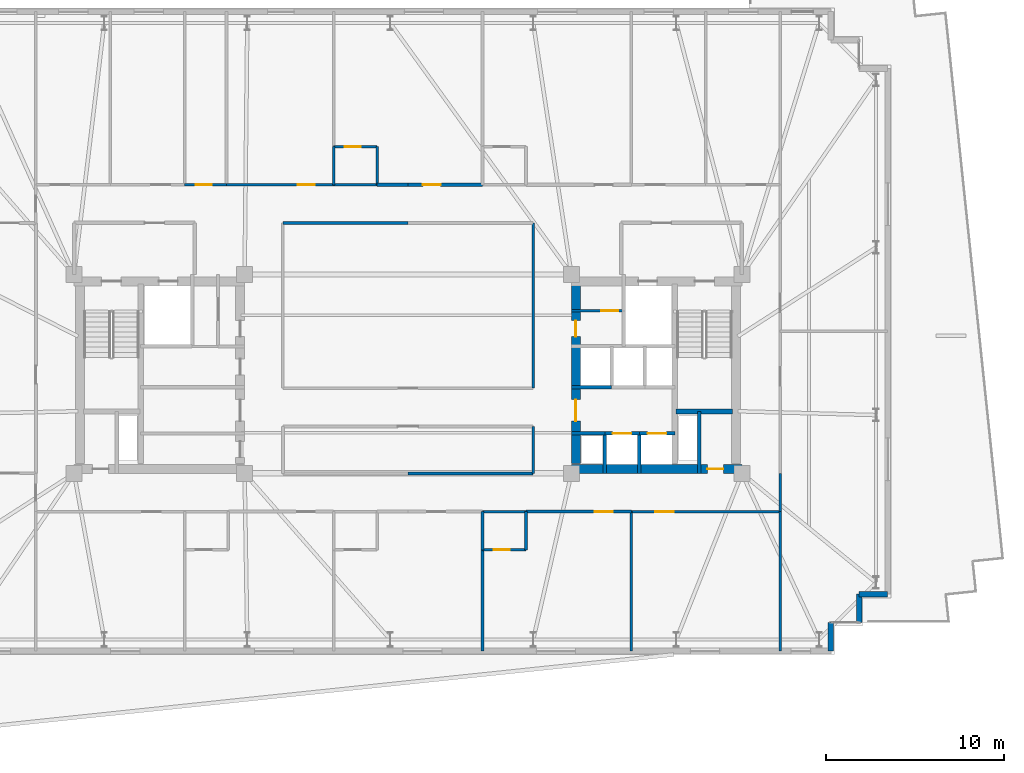
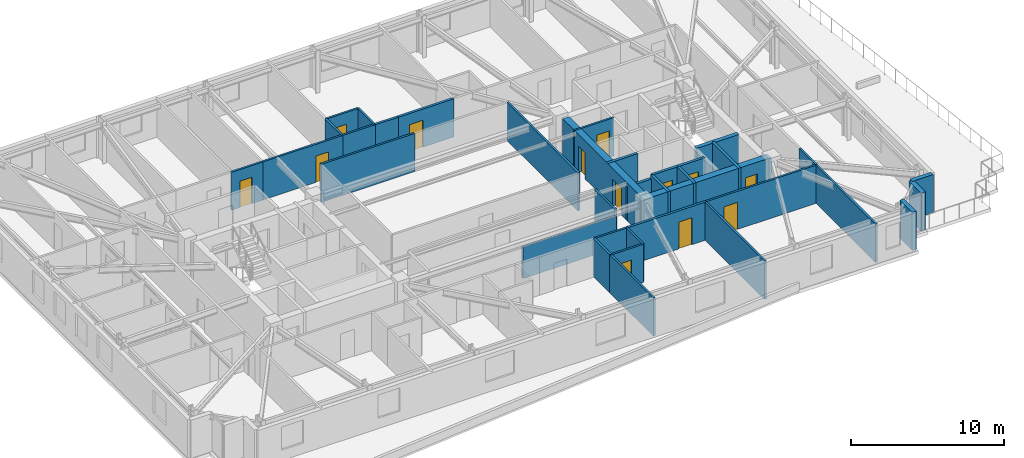
# One storey, part 13 of 19: 36 walls, 13 doors, 13 openings.
"""IFC4 building model written with IfcOpenShell, lengths in metres."""

from ifc_helpers import new_model, si_unit, direction, frame, frame_2d, origin, place, context, subcontext, project, spatial, rectangle, extrude, material, layer, layer_set, type_object, element, fill, save


model = new_model("IFC4")

# Units and contexts
model_context = context("Model", 3, precision=1e-05, world=origin(), true_north=direction((0.0, 1.0)))
body_context = subcontext(model_context, "Body", "Model", "MODEL_VIEW")
ifc_project = project(units=[si_unit("LENGTHUNIT", "METRE"), si_unit("AREAUNIT", "SQUARE_METRE"), si_unit("VOLUMEUNIT", "CUBIC_METRE"), si_unit("PLANEANGLEUNIT", "RADIAN"), si_unit("MASSUNIT", "GRAM", prefix="KILO")], contexts=[model_context])

# Site, building, storey
site_placement = place(None, origin())
site = spatial("IfcSite", under=ifc_project, at=site_placement, CompositionType="ELEMENT")
building_placement = place(site_placement, origin())
building = spatial("IfcBuilding", under=site, at=building_placement, Name="Qobustan Lattice House", CompositionType="ELEMENT")
storey_placement = place(building_placement, frame((0.0, 0.0, 131.0)))
storey = spatial("IfcBuildingStorey", under=building, at=storey_placement, Name="L36", CompositionType="ELEMENT", Elevation=131.0)

# Wall, opening, door
ifc_material_1 = material(Name="Concrete C50/60", Category="concrete")
ifc_layer_1 = layer(ifc_material_1, 0.5)
ifc_layer_set_1 = layer_set([ifc_layer_1], Name="Concrete C50/60")
wall_type_1 = type_object("IfcWallType", Name="WAL-CORE-500", PredefinedType="SHEAR", material=ifc_layer_set_1)
wall_1_placement = place(storey_placement, frame((9.199951171875, -5.35009765625, 0.0), z_axis=(0.0, 0.0, 1.0), x_axis=(1.0, 0.0, 0.0)))
wall_1 = element("IfcWall", 1, at=wall_1_placement, inside=storey, type_object=wall_type_1, Name="L36 split-core shear wall CE-S", PredefinedType="SHEAR", context=body_context, shape_type="SweptSolid", body=[
    extrude(rectangle(XDim=9.60009765625, YDim=0.5, at=frame_2d((4.800048828125, 0.0))), origin(), (0.0, 0.0, 1.0), 3.0400390625),
])
opening_1_placement = place(wall_1_placement, frame((7.64990234375, 0.0, 0.0)))
opening_1 = element("IfcOpeningElement", 2, at=opening_1_placement, cuts=wall_1, Name="Opening RD-01", PredefinedType="OPENING", context=body_context, shape_type="SweptSolid", body=[
    extrude(rectangle(XDim=0.89990234375, YDim=2.10009765625, at=frame_2d((0.449951171875, 1.050048828125))), frame((0.0, 0.260009765625, 0.0), z_axis=(0.0, -1.0, 0.0), x_axis=(1.0, 0.0, 0.0)), (0.0, 0.0, 1.0), 0.52001953125),
])
ifc_material_2 = material(Name="Persian walnut timber and steel frame door", Category="steel")
door_type_1 = type_object("IfcDoorType", Name="DOR-RISER-FD-900x2100", OperationType="NOTDEFINED", PredefinedType="DOOR", material=ifc_material_2)
door_1_placement = place(opening_1_placement, origin())
door_1 = element("IfcDoor", 3, at=door_1_placement, inside=storey, type_object=door_type_1, Name="L36 core service riser access door E", OperationType="SINGLE_SWING_LEFT", OverallHeight=2.10009765625, OverallWidth=0.89990234375, PredefinedType="DOOR", context=body_context, shape_type="SweptSolid", body=[
    extrude(rectangle(XDim=0.89990234375, YDim=2.10009765625, at=frame_2d((0.449951171875, 1.050048828125))), frame((0.0, 0.02490234375, 0.0), z_axis=(0.0, -1.0, 0.0), x_axis=(1.0, 0.0, 0.0)), (0.0, 0.0, 1.0), 0.050048828125),
])
fill(opening_1, door_1)

# Wall, openings, doors
wall_2_placement = place(storey_placement, frame((9.449951171875, -5.050048828125, 0.0), z_axis=(0.0, 0.0, 1.0), x_axis=(0.0, 1.0, 0.0)))
wall_2 = element("IfcWall", 4, at=wall_2_placement, inside=storey, type_object=wall_type_1, Name="L36 split-core shear wall CE-W", PredefinedType="SHEAR", context=body_context, shape_type="SweptSolid", body=[
    extrude(rectangle(XDim=10.10009765625, YDim=0.5, at=frame_2d((5.050048828125, 0.0))), origin(), (0.0, 0.0, 1.0), 3.0400390625),
])
opening_2_placement = place(wall_2_placement, frame((7.14990234375, 0.0, 0.0)))
opening_2 = element("IfcOpeningElement", 5, at=opening_2_placement, cuts=wall_2, Name="Opening RD-01", PredefinedType="OPENING", context=body_context, shape_type="SweptSolid", body=[
    extrude(rectangle(XDim=0.89990234375, YDim=2.10009765625, at=frame_2d((0.449951171875, 1.050048828125))), frame((0.0, 0.260009765625, 0.0), z_axis=(0.0, -1.0, 0.0), x_axis=(1.0, 0.0, 0.0)), (0.0, 0.0, 1.0), 0.52001953125),
])
opening_3_placement = place(wall_2_placement, frame((2.39990234375, 0.0, 0.0)))
opening_3 = element("IfcOpeningElement", 6, at=opening_3_placement, cuts=wall_2, Name="Opening FD-01", PredefinedType="OPENING", context=body_context, shape_type="SweptSolid", body=[
    extrude(rectangle(XDim=1.199951171875, YDim=2.14990234375, at=frame_2d((0.60009765625, 1.074951171875))), frame((0.0, 0.260009765625, 0.0), z_axis=(0.0, -1.0, 0.0), x_axis=(1.0, 0.0, 0.0)), (0.0, 0.0, 1.0), 0.52001953125),
])
ifc_material_3 = material(Name="Persian walnut timber and steel frame door", Category="steel")
door_type_2 = type_object("IfcDoorType", Name="DOR-LOBBY-FD-1200x2150", OperationType="NOTDEFINED", PredefinedType="DOOR", material=ifc_material_3)
door_2_placement = place(opening_3_placement, origin())
door_2 = element("IfcDoor", 7, at=door_2_placement, inside=storey, type_object=door_type_2, Name="L36 East passenger lift lobby fire door", OperationType="SINGLE_SWING_LEFT", OverallHeight=2.14990234375, OverallWidth=1.199951171875, PredefinedType="DOOR", context=body_context, shape_type="SweptSolid", body=[
    extrude(rectangle(XDim=1.199951171875, YDim=2.14990234375, at=frame_2d((0.60009765625, 1.074951171875))), frame((0.0, 0.02490234375, 0.0), z_axis=(0.0, -1.0, 0.0), x_axis=(1.0, 0.0, 0.0)), (0.0, 0.0, 1.0), 0.050048828125),
])
fill(opening_3, door_2)
door_3_placement = place(opening_2_placement, origin())
door_3 = element("IfcDoor", 8, at=door_3_placement, inside=storey, type_object=door_type_1, Name="L36 Housekeeping utility foyer fire door", OperationType="SINGLE_SWING_RIGHT", OverallHeight=2.10009765625, OverallWidth=0.89990234375, PredefinedType="DOOR", context=body_context, shape_type="SweptSolid", body=[
    extrude(rectangle(XDim=0.89990234375, YDim=2.10009765625, at=frame_2d((0.449951171875, 1.050048828125))), frame((0.0, 0.02490234375, 0.0), z_axis=(0.0, -1.0, 0.0), x_axis=(1.0, 0.0, 0.0)), (0.0, 0.0, 1.0), 0.050048828125),
])
fill(opening_2, door_3)

# Walls
ifc_material_4 = material(Name="Concrete C50/60", Category="concrete")
ifc_layer_2 = layer(ifc_material_4, 0.280029296875)
ifc_layer_set_2 = layer_set([ifc_layer_2], Name="Concrete C50/60")
wall_type_2 = type_object("IfcWallType", Name="WAL-CORE-SPINE-280", PredefinedType="SHEAR", material=ifc_layer_set_2)
wall_3_placement = place(storey_placement, frame((15.10009765625, -2.110107421875, 0.0), z_axis=(0.0, 0.0, 1.0), x_axis=(1.0, 0.0, 0.0)))
element("IfcWall", 9, at=wall_3_placement, inside=storey, type_object=wall_type_2, Name="L36 split-core shear wall CE-ST", PredefinedType="SHEAR", context=body_context, shape_type="SweptSolid", body=[
    extrude(rectangle(XDim=3.179931640625, YDim=0.300048828125, at=frame_2d((1.58984375, 0.0))), origin(), (0.0, 0.0, 1.0), 3.0400390625),
])
ifc_material_5 = material(Name="Precast concrete C40/50", Category="concrete")
ifc_layer_3 = layer(ifc_material_5, 0.320068359375)
ifc_layer_set_3 = layer_set([ifc_layer_3], Name="Precast concrete C40/50")
wall_type_3 = type_object("IfcWallType", Name="WAL-EXT-STONE-320", PredefinedType="SOLIDWALL", material=ifc_layer_set_3)
for number, where, z_axis, x_axis, name in (
    (10, (27.0, -12.39990234375, 0.0), (0.0, 0.0, 1.0), (-1.0, 0.0, 0.0), "L36 exterior limestone-clad wall 16"),
    (11, (25.39990234375, -12.39990234375, 0.0), (0.0, 0.0, 1.0), (0.0, -1.0, 0.0), "L36 exterior limestone-clad wall 17"),
    (12, (23.800048828125, -14.0, 0.0), (0.0, 0.0, 1.0), (0.0, -1.0, 0.0), "L36 exterior limestone-clad wall 19"),
):
    element("IfcWall", number, at=place(storey_placement, frame(where, z_axis=z_axis, x_axis=x_axis)), inside=storey, type_object=wall_type_3, Name=name, PredefinedType="SOLIDWALL", context=body_context, shape_type="SweptSolid", body=[
        extrude(rectangle(XDim=1.60009765625, YDim=0.320068359375, at=frame_2d((0.800048828125, 0.0))), origin(), (0.0, 0.0, 1.0), 3.0400390625),
    ])
ifc_material_6 = material(Name="Gypsum fireboard acoustic partition", Category="gypsum")
ifc_layer_4 = layer(ifc_material_6, 0.179931640625)
ifc_layer_set_4 = layer_set([ifc_layer_4], Name="Gypsum fireboard acoustic partition")
wall_type_4 = type_object("IfcWallType", Name="WAL-FIRE-180", PredefinedType="PARTITIONING", material=ifc_layer_set_4)
wall_4_placement = place(storey_placement, frame((-1.739990234375, 10.64990234375, 0.0), z_axis=(0.0, 0.0, 1.0), x_axis=(1.0, 0.0, 0.0)))
element("IfcWall", 13, at=wall_4_placement, inside=storey, type_object=wall_type_4, Name="L36 interior partition 39", PredefinedType="PARTITIONING", context=body_context, shape_type="SweptSolid", body=[
    extrude(rectangle(XDim=1.739990234375, YDim=0.179931640625, at=frame_2d((0.8701171875, 0.0))), origin(), (0.0, 0.0, 1.0), 3.0400390625),
])

# Wall, opening, door
wall_5_placement = place(storey_placement, frame((0.0, 10.64990234375, 0.0), z_axis=(0.0, 0.0, 1.0), x_axis=(1.0, 0.0, 0.0)))
wall_5 = element("IfcWall", 14, at=wall_5_placement, inside=storey, type_object=wall_type_4, Name="L36 interior partition 43", PredefinedType="PARTITIONING", context=body_context, shape_type="SweptSolid", body=[
    extrude(rectangle(XDim=4.18994140625, YDim=0.179931640625, at=frame_2d((2.094970703125, 0.0))), origin(), (0.0, 0.0, 1.0), 3.0400390625),
])
opening_4_placement = place(wall_5_placement, frame((0.833740234375, 0.0, 0.0)))
opening_4 = element("IfcOpeningElement", 15, at=opening_4_placement, cuts=wall_5, Name="Opening FD-02", PredefinedType="OPENING", context=body_context, shape_type="SweptSolid", body=[
    extrude(rectangle(XDim=1.0, YDim=2.14990234375, at=frame_2d((0.5, 1.074951171875))), frame((0.0, 0.099853515625, 0.0), z_axis=(0.0, -1.0, 0.0), x_axis=(1.0, 0.0, 0.0)), (0.0, 0.0, 1.0), 0.199951171875),
])
ifc_material_7 = material(Name="Persian walnut timber and steel frame door", Category="steel")
door_type_3 = type_object("IfcDoorType", Name="DOR-UNIT-FD-1000x2150", OperationType="NOTDEFINED", PredefinedType="DOOR", material=ifc_material_7)
door_4_placement = place(opening_4_placement, origin())
door_4 = element("IfcDoor", 16, at=door_4_placement, inside=storey, type_object=door_type_3, Name="L36 North-east floor corridor to Kitchenette and studio apartment L36-N3 door", OperationType="SINGLE_SWING_LEFT", OverallHeight=2.14990234375, OverallWidth=1.0, PredefinedType="DOOR", context=body_context, shape_type="SweptSolid", body=[
    extrude(rectangle(XDim=1.0, YDim=2.14990234375, at=frame_2d((0.5, 1.074951171875))), frame((0.0, 0.02490234375, 0.0), z_axis=(0.0, -1.0, 0.0), x_axis=(1.0, 0.0, 0.0)), (0.0, 0.0, 1.0), 0.050048828125),
])
fill(opening_4, door_4)

wall_6_placement = place(storey_placement, frame((12.570068359375, -7.75, 0.0), z_axis=(0.0, 0.0, 1.0), x_axis=(-1.0, 0.0, 0.0)))
wall_6 = element("IfcWall", 17, at=wall_6_placement, inside=storey, type_object=wall_type_4, Name="L36 interior partition 58", PredefinedType="PARTITIONING", context=body_context, shape_type="SweptSolid", body=[
    extrude(rectangle(XDim=5.93017578125, YDim=0.179931640625, at=frame_2d((2.965087890625, 0.0))), origin(), (0.0, 0.0, 1.0), 3.0400390625),
])
opening_5_placement = place(wall_6_placement, frame((1.05126953125, 0.0, 0.0)))
opening_5 = element("IfcOpeningElement", 18, at=opening_5_placement, cuts=wall_6, Name="Opening FD-02", PredefinedType="OPENING", context=body_context, shape_type="SweptSolid", body=[
    extrude(rectangle(XDim=1.0, YDim=2.14990234375, at=frame_2d((0.5, 1.074951171875))), frame((0.0, 0.099853515625, 0.0), z_axis=(0.0, -1.0, 0.0), x_axis=(1.0, 0.0, 0.0)), (0.0, 0.0, 1.0), 0.199951171875),
])
door_5_placement = place(opening_5_placement, origin())
door_5 = element("IfcDoor", 19, at=door_5_placement, inside=storey, type_object=door_type_3, Name="L36 South-east floor corridor to Kitchenette and studio apartment L36-S4 door", OperationType="SINGLE_SWING_LEFT", OverallHeight=2.14990234375, OverallWidth=1.0, PredefinedType="DOOR", context=body_context, shape_type="SweptSolid", body=[
    extrude(rectangle(XDim=1.0, YDim=2.14990234375, at=frame_2d((0.5, 1.074951171875))), frame((0.0, 0.02490234375, 0.0), z_axis=(0.0, -1.0, 0.0), x_axis=(1.0, 0.0, 0.0)), (0.0, 0.0, 1.0), 0.050048828125),
])
fill(opening_5, door_5)

ifc_material_8 = material(Name="Acoustic twin-stud gypsum partition", Category="gypsum")
ifc_layer_5 = layer(ifc_material_8, 0.14990234375)
ifc_layer_set_5 = layer_set([ifc_layer_5], Name="Acoustic twin-stud gypsum partition")
wall_type_5 = type_object("IfcWallType", Name="WAL-PART-150", PredefinedType="PARTITIONING", material=ifc_layer_set_5)
wall_7_placement = place(storey_placement, frame((12.14990234375, 3.550048828125, 0.0), z_axis=(0.0, 0.0, 1.0), x_axis=(-1.0, 0.0, 0.0)))
wall_7 = element("IfcWall", 20, at=wall_7_placement, inside=storey, type_object=wall_type_5, Name="L36 interior partition 21", PredefinedType="PARTITIONING", context=body_context, shape_type="SweptSolid", body=[
    extrude(rectangle(XDim=2.949951171875, YDim=0.14990234375, at=frame_2d((1.47509765625, 0.0))), origin(), (0.0, 0.0, 1.0), 3.0400390625),
])
opening_6_placement = place(wall_7_placement, frame((0.324951171875, 0.0, 0.0)))
opening_6 = element("IfcOpeningElement", 21, at=opening_6_placement, cuts=wall_7, Name="Opening ID-01", PredefinedType="OPENING", context=body_context, shape_type="SweptSolid", body=[
    extrude(rectangle(XDim=0.949951171875, YDim=2.10009765625, at=frame_2d((0.47509765625, 1.050048828125))), frame((0.0, 0.0849609375, 0.0), z_axis=(0.0, -1.0, 0.0), x_axis=(1.0, 0.0, 0.0)), (0.0, 0.0, 1.0), 0.169921875),
])
ifc_material_9 = material(Name="Persian walnut timber and steel frame door", Category="steel")
door_type_4 = type_object("IfcDoorType", Name="DOR-ROOM-950x2100", OperationType="NOTDEFINED", PredefinedType="DOOR", material=ifc_material_9)
door_6_placement = place(opening_6_placement, origin())
door_6 = element("IfcDoor", 22, at=door_6_placement, inside=storey, type_object=door_type_4, Name="L36 Housekeeping utility foyer to Cleaner cupboard door", OperationType="SINGLE_SWING_LEFT", OverallHeight=2.10009765625, OverallWidth=0.949951171875, PredefinedType="DOOR", context=body_context, shape_type="SweptSolid", body=[
    extrude(rectangle(XDim=0.949951171875, YDim=2.10009765625, at=frame_2d((0.47509765625, 1.050048828125))), frame((0.0, 0.02490234375, 0.0), z_axis=(0.0, -1.0, 0.0), x_axis=(1.0, 0.0, 0.0)), (0.0, 0.0, 1.0), 0.050048828125),
])
fill(opening_6, door_6)

wall_8_placement = place(storey_placement, frame((-10.219970703125, 10.64990234375, 0.0), z_axis=(0.0, 0.0, 1.0), x_axis=(1.0, 0.0, 0.0)))
wall_8 = element("IfcWall", 23, at=wall_8_placement, inside=storey, type_object=wall_type_5, Name="L36 interior partition 38", PredefinedType="PARTITIONING", context=body_context, shape_type="SweptSolid", body=[
    extrude(rectangle(XDim=6.030029296875, YDim=0.14990234375, at=frame_2d((3.01513671875, 0.0))), origin(), (0.0, 0.0, 1.0), 3.0400390625),
])
opening_7_placement = place(wall_8_placement, frame((4.010009765625, 0.0, 0.0)))
opening_7 = element("IfcOpeningElement", 24, at=opening_7_placement, cuts=wall_8, Name="Opening ID-01", PredefinedType="OPENING", context=body_context, shape_type="SweptSolid", body=[
    extrude(rectangle(XDim=0.949951171875, YDim=2.10009765625, at=frame_2d((0.47509765625, 1.050048828125))), frame((0.0, 0.0849609375, 0.0), z_axis=(0.0, -1.0, 0.0), x_axis=(1.0, 0.0, 0.0)), (0.0, 0.0, 1.0), 0.169921875),
])
door_7_placement = place(opening_7_placement, origin())
door_7 = element("IfcDoor", 25, at=door_7_placement, inside=storey, type_object=door_type_4, Name="L36 North-west floor corridor to Laundry utility room door", OperationType="SINGLE_SWING_RIGHT", OverallHeight=2.10009765625, OverallWidth=0.949951171875, PredefinedType="DOOR", context=body_context, shape_type="SweptSolid", body=[
    extrude(rectangle(XDim=0.949951171875, YDim=2.10009765625, at=frame_2d((0.47509765625, 1.050048828125))), frame((0.0, 0.02490234375, 0.0), z_axis=(0.0, -1.0, 0.0), x_axis=(1.0, 0.0, 0.0)), (0.0, 0.0, 1.0), 0.050048828125),
])
fill(opening_7, door_7)

# Walls
wall_9_placement = place(storey_placement, frame((0.0, 8.5, 0.0), z_axis=(0.0, 0.0, 1.0), x_axis=(-1.0, 0.0, 0.0)))
element("IfcWall", 26, at=wall_9_placement, inside=storey, type_object=wall_type_5, Name="L36 interior partition 41", PredefinedType="PARTITIONING", context=body_context, shape_type="SweptSolid", body=[
    extrude(rectangle(XDim=7.050048828125, YDim=0.14990234375, at=frame_2d((3.52490234375, 0.0))), origin(), (0.0, 0.0, 1.0), 3.0400390625),
])
wall_10_placement = place(storey_placement, frame((20.949951171875, -5.60009765625, 0.0), z_axis=(0.0, 0.0, 1.0), x_axis=(0.0, -1.0, 0.0)))
element("IfcWall", 27, at=wall_10_placement, inside=storey, type_object=wall_type_5, Name="L36 interior partition 56", PredefinedType="PARTITIONING", context=body_context, shape_type="SweptSolid", body=[
    extrude(rectangle(XDim=2.14990234375, YDim=0.14990234375, at=frame_2d((1.074951171875, 0.0))), origin(), (0.0, 0.0, 1.0), 3.0400390625),
])

# Wall, opening, door
wall_11_placement = place(storey_placement, frame((20.949951171875, -7.75, 0.0), z_axis=(0.0, 0.0, 1.0), x_axis=(-1.0, 0.0, 0.0)))
wall_11 = element("IfcWall", 28, at=wall_11_placement, inside=storey, type_object=wall_type_5, Name="L36 interior partition 60", PredefinedType="PARTITIONING", context=body_context, shape_type="SweptSolid", body=[
    extrude(rectangle(XDim=8.3798828125, YDim=0.14990234375, at=frame_2d((4.18994140625, 0.0))), origin(), (0.0, 0.0, 1.0), 3.0400390625),
])
opening_8_placement = place(wall_11_placement, frame((5.978759765625, 0.0, 0.0)))
opening_8 = element("IfcOpeningElement", 29, at=opening_8_placement, cuts=wall_11, Name="Opening ID-02", PredefinedType="OPENING", context=body_context, shape_type="SweptSolid", body=[
    extrude(rectangle(XDim=1.050048828125, YDim=2.14990234375, at=frame_2d((0.52490234375, 1.074951171875))), frame((0.0, 0.0849609375, 0.0), z_axis=(0.0, -1.0, 0.0), x_axis=(1.0, 0.0, 0.0)), (0.0, 0.0, 1.0), 0.169921875),
])
ifc_material_10 = material(Name="Persian walnut timber and steel frame door", Category="steel")
door_type_5 = type_object("IfcDoorType", Name="DOR-STUDY-1050x2150", OperationType="NOTDEFINED", PredefinedType="DOOR", material=ifc_material_10)
door_8_placement = place(opening_8_placement, origin())
door_8 = element("IfcDoor", 30, at=door_8_placement, inside=storey, type_object=door_type_5, Name="L36 South-east floor corridor to Group study room door", OperationType="SINGLE_SWING_RIGHT", OverallHeight=2.14990234375, OverallWidth=1.050048828125, PredefinedType="DOOR", context=body_context, shape_type="SweptSolid", body=[
    extrude(rectangle(XDim=1.050048828125, YDim=2.14990234375, at=frame_2d((0.52490234375, 1.074951171875))), frame((0.0, 0.02490234375, 0.0), z_axis=(0.0, -1.0, 0.0), x_axis=(1.0, 0.0, 0.0)), (0.0, 0.0, 1.0), 0.050048828125),
])
fill(opening_8, door_8)

# Walls
wall_12_placement = place(storey_placement, frame((7.050048828125, -0.800048828125, 0.0), z_axis=(0.0, 0.0, 1.0), x_axis=(0.0, 1.0, 0.0)))
element("IfcWall", 31, at=wall_12_placement, inside=storey, type_object=wall_type_5, Name="L36 interior partition 69", PredefinedType="PARTITIONING", context=body_context, shape_type="SweptSolid", body=[
    extrude(rectangle(XDim=9.300048828125, YDim=0.14990234375, at=frame_2d((4.64990234375, 0.0))), origin(), (0.0, 0.0, 1.0), 3.0400390625),
])
wall_13_placement = place(storey_placement, frame((20.949951171875, -15.60009765625, 0.0), z_axis=(0.0, 0.0, 1.0), x_axis=(0.0, 1.0, 0.0)))
element("IfcWall", 32, at=wall_13_placement, inside=storey, type_object=wall_type_5, Name="L36 interior partition 89", PredefinedType="PARTITIONING", context=body_context, shape_type="SweptSolid", body=[
    extrude(rectangle(XDim=7.85009765625, YDim=0.14990234375, at=frame_2d((3.925048828125, 0.0))), origin(), (0.0, 0.0, 1.0), 3.0400390625),
])
wall_14_placement = place(storey_placement, frame((4.18994140625, -9.89990234375, 0.0), z_axis=(0.0, 0.0, 1.0), x_axis=(0.0, -1.0, 0.0)))
element("IfcWall", 33, at=wall_14_placement, inside=storey, type_object=wall_type_5, Name="L36 interior partition 112", PredefinedType="PARTITIONING", context=body_context, shape_type="SweptSolid", body=[
    extrude(rectangle(XDim=5.7001953125, YDim=0.14990234375, at=frame_2d((2.85009765625, 0.0))), origin(), (0.0, 0.0, 1.0), 3.0400390625),
])
wall_15_placement = place(storey_placement, frame((12.570068359375, -7.75, 0.0), z_axis=(0.0, 0.0, 1.0), x_axis=(0.0, -1.0, 0.0)))
element("IfcWall", 34, at=wall_15_placement, inside=storey, type_object=wall_type_5, Name="L36 interior partition 116", PredefinedType="PARTITIONING", context=body_context, shape_type="SweptSolid", body=[
    extrude(rectangle(XDim=7.85009765625, YDim=0.14990234375, at=frame_2d((3.925048828125, 0.0))), origin(), (0.0, 0.0, 1.0), 3.0400390625),
])
ifc_material_11 = material(Name="High-mass acoustic twin-stud partition", Category="gypsum")
ifc_layer_6 = layer(ifc_material_11, 0.1650390625)
ifc_layer_set_6 = layer_set([ifc_layer_6], Name="High-mass acoustic twin-stud partition")
wall_type_6 = type_object("IfcWallType", Name="WAL-PART-165", PredefinedType="PARTITIONING", material=ifc_layer_set_6)
wall_16_placement = place(storey_placement, frame((0.0, -5.60009765625, 0.0), z_axis=(0.0, 0.0, 1.0), x_axis=(1.0, 0.0, 0.0)))
element("IfcWall", 35, at=wall_16_placement, inside=storey, type_object=wall_type_6, Name="L36 interior partition 61", PredefinedType="PARTITIONING", context=body_context, shape_type="SweptSolid", body=[
    extrude(rectangle(XDim=7.050048828125, YDim=0.1650390625, at=frame_2d((3.52490234375, 0.0))), origin(), (0.0, 0.0, 1.0), 2.52490234375),
])
wall_17_placement = place(storey_placement, frame((7.050048828125, -5.60009765625, 0.0), z_axis=(0.0, 0.0, 1.0), x_axis=(0.0, 1.0, 0.0)))
element("IfcWall", 36, at=wall_17_placement, inside=storey, type_object=wall_type_6, Name="L36 interior partition 70", PredefinedType="PARTITIONING", context=body_context, shape_type="SweptSolid", body=[
    extrude(rectangle(XDim=2.650146484375, YDim=0.1650390625, at=frame_2d((1.3251953125, 0.0))), origin(), (0.0, 0.0, 1.0), 3.0400390625),
])
ifc_material_12 = material(Name="Concrete C40/50", Category="concrete")
ifc_layer_7 = layer(ifc_material_12, 0.199951171875)
ifc_layer_set_7 = layer_set([ifc_layer_7], Name="Concrete C40/50")
wall_type_7 = type_object("IfcWallType", Name="WAL-SHAFT-200", PredefinedType="PARTITIONING", material=ifc_layer_set_7)
wall_18_placement = place(storey_placement, frame((16.39990234375, -2.110107421875, 0.0), z_axis=(0.0, 0.0, 1.0), x_axis=(0.0, -1.0, 0.0)))
element("IfcWall", 37, at=wall_18_placement, inside=storey, type_object=wall_type_7, Name="L36 interior partition 15", PredefinedType="PARTITIONING", context=body_context, shape_type="SweptSolid", body=[
    extrude(rectangle(XDim=3.489990234375, YDim=0.199951171875, at=frame_2d((1.7451171875, 0.0))), origin(), (0.0, 0.0, 1.0), 3.0400390625),
])
wall_19_placement = place(storey_placement, frame((9.199951171875, -3.35009765625, 0.0), z_axis=(0.0, 0.0, 1.0), x_axis=(1.0, 0.0, 0.0)))
element("IfcWall", 38, at=wall_19_placement, inside=storey, type_object=wall_type_7, Name="L36 interior partition 23", PredefinedType="PARTITIONING", context=body_context, shape_type="SweptSolid", body=[
    extrude(rectangle(XDim=1.880126953125, YDim=0.199951171875, at=frame_2d((0.93994140625, 0.0))), origin(), (0.0, 0.0, 1.0), 2.7548828125),
])

# Wall, opening, door
wall_20_placement = place(storey_placement, frame((11.080078125, -3.35009765625, 0.0), z_axis=(0.0, 0.0, 1.0), x_axis=(1.0, 0.0, 0.0)))
wall_20 = element("IfcWall", 39, at=wall_20_placement, inside=storey, type_object=wall_type_7, Name="L36 interior partition 24", PredefinedType="PARTITIONING", context=body_context, shape_type="SweptSolid", body=[
    extrude(rectangle(XDim=1.93994140625, YDim=0.199951171875, at=frame_2d((0.969970703125, 0.0))), origin(), (0.0, 0.0, 1.0), 3.0400390625),
])
opening_9_placement = place(wall_20_placement, frame((0.445068359375, 0.0, 0.0)))
opening_9 = element("IfcOpeningElement", 40, at=opening_9_placement, cuts=wall_20, Name="Opening LD-01", PredefinedType="OPENING", context=body_context, shape_type="SweptSolid", body=[
    extrude(rectangle(XDim=1.050048828125, YDim=2.10009765625, at=frame_2d((0.52490234375, 1.050048828125))), frame((0.0, 0.10986328125, 0.0), z_axis=(0.0, -1.0, 0.0), x_axis=(1.0, 0.0, 0.0)), (0.0, 0.0, 1.0), 0.219970703125),
])
ifc_material_13 = material(Name="Persian walnut timber and steel frame door", Category="steel")
door_type_6 = type_object("IfcDoorType", Name="DOR-LIFT-LD-1050x2100", OperationType="NOTDEFINED", PredefinedType="DOOR", material=ifc_material_13)
door_9_placement = place(opening_9_placement, origin())
door_9 = element("IfcDoor", 41, at=door_9_placement, inside=storey, type_object=door_type_6, Name="L36 lift landing door", OperationType="DOUBLE_DOOR_SLIDING", OverallHeight=2.10009765625, OverallWidth=1.050048828125, PredefinedType="DOOR", context=body_context, shape_type="SweptSolid", body=[
    extrude(rectangle(XDim=1.050048828125, YDim=2.10009765625, at=frame_2d((0.52490234375, 1.050048828125))), frame((0.0, 0.02490234375, 0.0), z_axis=(0.0, -1.0, 0.0), x_axis=(1.0, 0.0, 0.0)), (0.0, 0.0, 1.0), 0.050048828125),
])
fill(opening_9, door_9)

wall_21_placement = place(storey_placement, frame((13.02001953125, -3.35009765625, 0.0), z_axis=(0.0, 0.0, 1.0), x_axis=(1.0, 0.0, 0.0)))
wall_21 = element("IfcWall", 42, at=wall_21_placement, inside=storey, type_object=wall_type_7, Name="L36 interior partition 25", PredefinedType="PARTITIONING", context=body_context, shape_type="SweptSolid", body=[
    extrude(rectangle(XDim=2.0, YDim=0.199951171875, at=frame_2d((1.0, 0.0))), origin(), (0.0, 0.0, 1.0), 3.0400390625),
])
opening_10_placement = place(wall_21_placement, frame((0.47509765625, 0.0, 0.0)))
opening_10 = element("IfcOpeningElement", 43, at=opening_10_placement, cuts=wall_21, Name="Opening LD-01", PredefinedType="OPENING", context=body_context, shape_type="SweptSolid", body=[
    extrude(rectangle(XDim=1.050048828125, YDim=2.10009765625, at=frame_2d((0.52490234375, 1.050048828125))), frame((0.0, 0.10986328125, 0.0), z_axis=(0.0, -1.0, 0.0), x_axis=(1.0, 0.0, 0.0)), (0.0, 0.0, 1.0), 0.219970703125),
])
door_10_placement = place(opening_10_placement, origin())
door_10 = element("IfcDoor", 44, at=door_10_placement, inside=storey, type_object=door_type_6, Name="L36 lift landing door", OperationType="DOUBLE_DOOR_SLIDING", OverallHeight=2.10009765625, OverallWidth=1.050048828125, PredefinedType="DOOR", context=body_context, shape_type="SweptSolid", body=[
    extrude(rectangle(XDim=1.050048828125, YDim=2.10009765625, at=frame_2d((0.52490234375, 1.050048828125))), frame((0.0, 0.02490234375, 0.0), z_axis=(0.0, -1.0, 0.0), x_axis=(1.0, 0.0, 0.0)), (0.0, 0.0, 1.0), 0.050048828125),
])
fill(opening_10, door_10)

# Walls
wall_22_placement = place(storey_placement, frame((11.4599609375, -0.75, 0.0), z_axis=(0.0, 0.0, 1.0), x_axis=(-1.0, 0.0, 0.0)))
element("IfcWall", 45, at=wall_22_placement, inside=storey, type_object=wall_type_7, Name="L36 interior partition 26", PredefinedType="PARTITIONING", context=body_context, shape_type="SweptSolid", body=[
    extrude(rectangle(XDim=2.260009765625, YDim=0.199951171875, at=frame_2d((1.1298828125, 0.0))), origin(), (0.0, 0.0, 1.0), 3.0400390625),
])
for number, where, z_axis, x_axis, name in (
    (46, (11.080078125, -5.60009765625, 0.0), (0.0, 0.0, 1.0), (0.0, 1.0, 0.0), "L36 interior partition 30"),
    (47, (13.02001953125, -5.60009765625, 0.0), (0.0, 0.0, 1.0), (0.0, 1.0, 0.0), "L36 interior partition 31"),
):
    element("IfcWall", number, at=place(storey_placement, frame(where, z_axis=z_axis, x_axis=x_axis)), inside=storey, type_object=wall_type_7, Name=name, PredefinedType="PARTITIONING", context=body_context, shape_type="SweptSolid", body=[
        extrude(rectangle(XDim=2.25, YDim=0.199951171875, at=frame_2d((1.125, 0.0))), origin(), (0.0, 0.0, 1.0), 3.0400390625),
    ])

# Wall, opening, door
ifc_material_14 = material(Name="Moisture-resistant acoustic plumbing wall", Category="gypsum")
ifc_layer_8 = layer(ifc_material_14, 0.14990234375)
ifc_layer_set_8 = layer_set([ifc_layer_8], Name="Moisture-resistant acoustic plumbing wall")
wall_type_8 = type_object("IfcWallType", Name="WAL-WET-150", PredefinedType="PLUMBINGWALL", material=ifc_layer_set_8)
wall_23_placement = place(storey_placement, frame((-12.570068359375, 10.64990234375, 0.0), z_axis=(0.0, 0.0, 1.0), x_axis=(1.0, 0.0, 0.0)))
wall_23 = element("IfcWall", 48, at=wall_23_placement, inside=storey, type_object=wall_type_8, Name="L36 interior partition 37", PredefinedType="PLUMBINGWALL", context=body_context, shape_type="SweptSolid", body=[
    extrude(rectangle(XDim=2.35009765625, YDim=0.14990234375, at=frame_2d((1.175048828125, 0.0))), origin(), (0.0, 0.0, 1.0), 3.0400390625),
])
opening_11_placement = place(wall_23_placement, frame((0.6162109375, 0.0, 0.0)))
opening_11 = element("IfcOpeningElement", 49, at=opening_11_placement, cuts=wall_23, Name="Opening WD-01", PredefinedType="OPENING", context=body_context, shape_type="SweptSolid", body=[
    extrude(rectangle(XDim=0.89990234375, YDim=2.10009765625, at=frame_2d((0.449951171875, 1.050048828125))), frame((0.0, 0.0849609375, 0.0), z_axis=(0.0, -1.0, 0.0), x_axis=(1.0, 0.0, 0.0)), (0.0, 0.0, 1.0), 0.169921875),
])
ifc_material_15 = material(Name="Persian walnut timber and steel frame door", Category="steel")
door_type_7 = type_object("IfcDoorType", Name="DOR-WET-900x2100", OperationType="NOTDEFINED", PredefinedType="DOOR", material=ifc_material_15)
door_11_placement = place(opening_11_placement, origin())
door_11 = element("IfcDoor", 50, at=door_11_placement, inside=storey, type_object=door_type_7, Name="L36 North-west floor corridor to Accessible WC door", OperationType="SINGLE_SWING_LEFT", OverallHeight=2.10009765625, OverallWidth=0.89990234375, PredefinedType="DOOR", context=body_context, shape_type="SweptSolid", body=[
    extrude(rectangle(XDim=0.89990234375, YDim=2.10009765625, at=frame_2d((0.449951171875, 1.050048828125))), frame((0.0, 0.02490234375, 0.0), z_axis=(0.0, -1.0, 0.0), x_axis=(1.0, 0.0, 0.0)), (0.0, 0.0, 1.0), 0.050048828125),
])
fill(opening_11, door_11)

# Walls
for number, where, z_axis, x_axis, name in (
    (51, (-4.18994140625, 10.64990234375, 0.0), (0.0, 0.0, 1.0), (1.0, 0.0, 0.0), "L36 interior partition 40"),
    (52, (6.639892578125, -7.75, 0.0), (0.0, 0.0, 1.0), (-1.0, 0.0, 0.0), "L36 interior partition 59"),
):
    element("IfcWall", number, at=place(storey_placement, frame(where, z_axis=z_axis, x_axis=x_axis)), inside=storey, type_object=wall_type_8, Name=name, PredefinedType="PLUMBINGWALL", context=body_context, shape_type="SweptSolid", body=[
        extrude(rectangle(XDim=2.449951171875, YDim=0.14990234375, at=frame_2d((1.22509765625, 0.0))), origin(), (0.0, 0.0, 1.0), 3.0400390625),
    ])
wall_24_placement = place(storey_placement, frame((-4.18994140625, 12.800048828125, 0.0), z_axis=(0.0, 0.0, 1.0), x_axis=(0.0, -1.0, 0.0)))
element("IfcWall", 53, at=wall_24_placement, inside=storey, type_object=wall_type_8, Name="L36 interior partition 95", PredefinedType="PLUMBINGWALL", context=body_context, shape_type="SweptSolid", body=[
    extrude(rectangle(XDim=2.150146484375, YDim=0.14990234375, at=frame_2d((1.0751953125, 0.0))), origin(), (0.0, 0.0, 1.0), 3.0400390625),
])

# Wall, opening, door
wall_25_placement = place(storey_placement, frame((-1.739990234375, 12.800048828125, 0.0), z_axis=(0.0, 0.0, 1.0), x_axis=(-1.0, 0.0, 0.0)))
wall_25 = element("IfcWall", 54, at=wall_25_placement, inside=storey, type_object=wall_type_8, Name="L36 interior partition 96", PredefinedType="PLUMBINGWALL", context=body_context, shape_type="SweptSolid", body=[
    extrude(rectangle(XDim=2.449951171875, YDim=0.14990234375, at=frame_2d((1.22509765625, 0.0))), origin(), (0.0, 0.0, 1.0), 3.0400390625),
])
opening_12_placement = place(wall_25_placement, frame((0.92138671875, 0.0, 0.0)))
opening_12 = element("IfcOpeningElement", 55, at=opening_12_placement, cuts=wall_25, Name="Opening WD-01", PredefinedType="OPENING", context=body_context, shape_type="SweptSolid", body=[
    extrude(rectangle(XDim=0.89990234375, YDim=2.10009765625, at=frame_2d((0.449951171875, 1.050048828125))), frame((0.0, 0.0849609375, 0.0), z_axis=(0.0, -1.0, 0.0), x_axis=(1.0, 0.0, 0.0)), (0.0, 0.0, 1.0), 0.169921875),
])
door_12_placement = place(opening_12_placement, origin())
door_12 = element("IfcDoor", 56, at=door_12_placement, inside=storey, type_object=door_type_7, Name="L36 Kitchenette and studio apartment L36-N3 to En-suite bathroom L36-N3 door", OperationType="SINGLE_SWING_RIGHT", OverallHeight=2.10009765625, OverallWidth=0.89990234375, PredefinedType="DOOR", context=body_context, shape_type="SweptSolid", body=[
    extrude(rectangle(XDim=0.89990234375, YDim=2.10009765625, at=frame_2d((0.449951171875, 1.050048828125))), frame((0.0, 0.02490234375, 0.0), z_axis=(0.0, -1.0, 0.0), x_axis=(1.0, 0.0, 0.0)), (0.0, 0.0, 1.0), 0.050048828125),
])
fill(opening_12, door_12)

# Walls
wall_26_placement = place(storey_placement, frame((-1.739990234375, 10.64990234375, 0.0), z_axis=(0.0, 0.0, 1.0), x_axis=(0.0, 1.0, 0.0)))
element("IfcWall", 57, at=wall_26_placement, inside=storey, type_object=wall_type_8, Name="L36 interior partition 97", PredefinedType="PLUMBINGWALL", context=body_context, shape_type="SweptSolid", body=[
    extrude(rectangle(XDim=2.150146484375, YDim=0.14990234375, at=frame_2d((1.0751953125, 0.0))), origin(), (0.0, 0.0, 1.0), 3.0400390625),
])
wall_27_placement = place(storey_placement, frame((4.18994140625, -7.75, 0.0), z_axis=(0.0, 0.0, 1.0), x_axis=(0.0, -1.0, 0.0)))
element("IfcWall", 58, at=wall_27_placement, inside=storey, type_object=wall_type_8, Name="L36 interior partition 113", PredefinedType="PLUMBINGWALL", context=body_context, shape_type="SweptSolid", body=[
    extrude(rectangle(XDim=2.14990234375, YDim=0.14990234375, at=frame_2d((1.074951171875, 0.0))), origin(), (0.0, 0.0, 1.0), 3.0400390625),
])

# Wall, opening, door
wall_28_placement = place(storey_placement, frame((4.18994140625, -9.89990234375, 0.0), z_axis=(0.0, 0.0, 1.0), x_axis=(1.0, 0.0, 0.0)))
wall_28 = element("IfcWall", 59, at=wall_28_placement, inside=storey, type_object=wall_type_8, Name="L36 interior partition 114", PredefinedType="PLUMBINGWALL", context=body_context, shape_type="SweptSolid", body=[
    extrude(rectangle(XDim=2.449951171875, YDim=0.14990234375, at=frame_2d((1.22509765625, 0.0))), origin(), (0.0, 0.0, 1.0), 3.0400390625),
])
opening_13_placement = place(wall_28_placement, frame((0.628662109375, 0.0, 0.0)))
opening_13 = element("IfcOpeningElement", 60, at=opening_13_placement, cuts=wall_28, Name="Opening WD-01", PredefinedType="OPENING", context=body_context, shape_type="SweptSolid", body=[
    extrude(rectangle(XDim=0.89990234375, YDim=2.10009765625, at=frame_2d((0.449951171875, 1.050048828125))), frame((0.0, 0.0849609375, 0.0), z_axis=(0.0, -1.0, 0.0), x_axis=(1.0, 0.0, 0.0)), (0.0, 0.0, 1.0), 0.169921875),
])
door_13_placement = place(opening_13_placement, origin())
door_13 = element("IfcDoor", 61, at=door_13_placement, inside=storey, type_object=door_type_7, Name="L36 Kitchenette and studio apartment L36-S4 to En-suite bathroom L36-S4 door", OperationType="SINGLE_SWING_RIGHT", OverallHeight=2.10009765625, OverallWidth=0.89990234375, PredefinedType="DOOR", context=body_context, shape_type="SweptSolid", body=[
    extrude(rectangle(XDim=0.89990234375, YDim=2.10009765625, at=frame_2d((0.449951171875, 1.050048828125))), frame((0.0, 0.02490234375, 0.0), z_axis=(0.0, -1.0, 0.0), x_axis=(1.0, 0.0, 0.0)), (0.0, 0.0, 1.0), 0.050048828125),
])
fill(opening_13, door_13)

# Wall
wall_29_placement = place(storey_placement, frame((6.639892578125, -9.89990234375, 0.0), z_axis=(0.0, 0.0, 1.0), x_axis=(0.0, 1.0, 0.0)))
element("IfcWall", 62, at=wall_29_placement, inside=storey, type_object=wall_type_8, Name="L36 interior partition 115", PredefinedType="PLUMBINGWALL", context=body_context, shape_type="SweptSolid", body=[
    extrude(rectangle(XDim=2.14990234375, YDim=0.14990234375, at=frame_2d((1.074951171875, 0.0))), origin(), (0.0, 0.0, 1.0), 3.0400390625),
])

save(model, "model.ifc")
